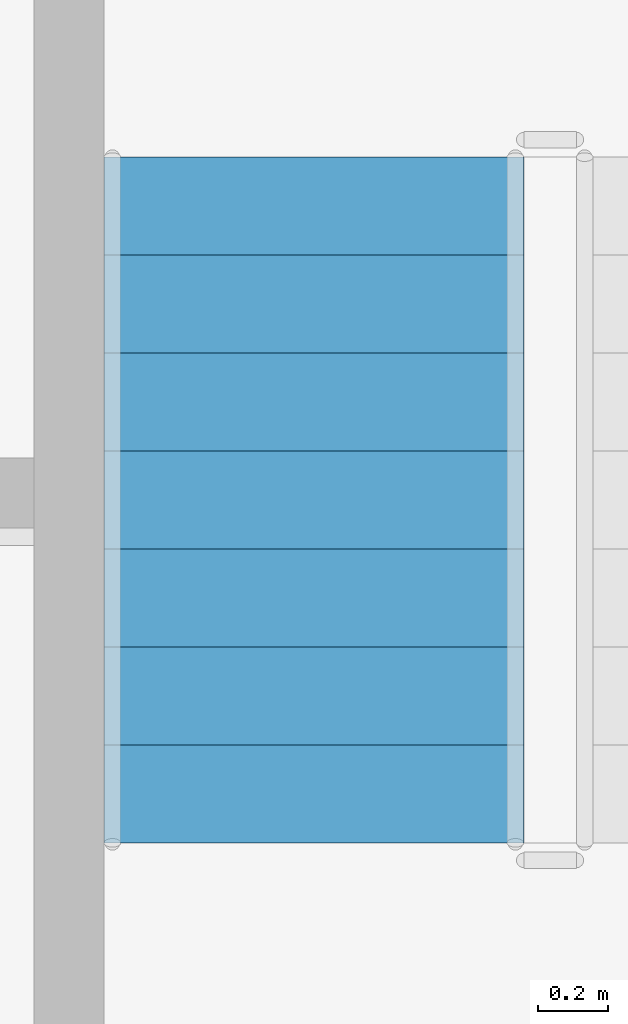
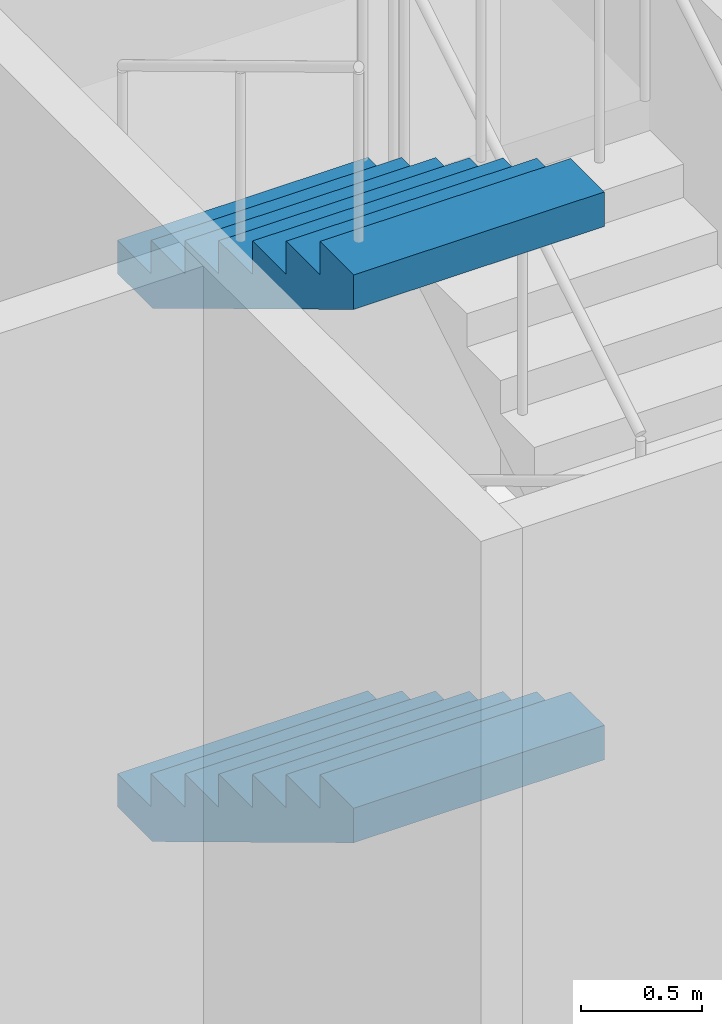
# One storey, part 49 of 101: 2 stair flights, 1 element without a shape of its own.
"""IFC4 building model written with IfcOpenShell, lengths in metres."""

from ifc_helpers import new_model, si_unit, direction, frame, origin, place, context, subcontext, project, spatial, triangles, material, type_object, element, aggregate, save


model = new_model("IFC4")

# Units and contexts
model_context = context("Model", 3, precision=1e-05, world=origin(), true_north=direction((0.0, 1.0)))
body_context = subcontext(model_context, "Body", "Model", "MODEL_VIEW")
ifc_project = project(units=[si_unit("LENGTHUNIT", "METRE"), si_unit("AREAUNIT", "SQUARE_METRE"), si_unit("VOLUMEUNIT", "CUBIC_METRE"), si_unit("PLANEANGLEUNIT", "RADIAN"), si_unit("MASSUNIT", "GRAM", prefix="KILO")], contexts=[model_context])

# Site, building, storey
site_placement = place(None, origin())
site = spatial("IfcSite", under=ifc_project, at=site_placement, CompositionType="ELEMENT")
building_placement = place(site_placement, origin())
building = spatial("IfcBuilding", under=site, at=building_placement, Name="Magnolia Steps Interchange", CompositionType="ELEMENT")
storey_placement = place(building_placement, frame((0.0, 0.0, -5.39990234375)))
storey = spatial("IfcBuildingStorey", under=building, at=storey_placement, Name="B1", CompositionType="ELEMENT", Elevation=-5.39990234375)

# Stair, stair flights
ifc_material_1 = material(Name="Concrete C40", Category="concrete")
stair_type = type_object("IfcStairType", Name="Exit stair 1200", PredefinedType="HALF_TURN_STAIR", material=ifc_material_1)
stair_placement = place(storey_placement, origin())
stair = element("IfcStair", 1, at=stair_placement, inside=storey, type_object=stair_type, Name="B1 Stair 20", PredefinedType="HALF_TURN_STAIR")
ifc_material_2 = material(Name="Concrete C40", Category="concrete")
stair_flight_type = type_object("IfcStairFlightType", Name="Exit stair flight", PredefinedType="STRAIGHT", material=ifc_material_2)
stair_flight_1_placement = place(storey_placement, frame((93.949951171875, 40.659912109375, 1.349853515625), z_axis=(0.0, 0.0, 1.0), x_axis=(0.0, -1.0, 0.0)))
stair_flight_1 = element("IfcStairFlight", 2, at=stair_flight_1_placement, type_object=stair_flight_type, Name="Stair 20 flight 2", NumberOfRisers=8, NumberOfTreads=7, PredefinedType="STRAIGHT", RiserHeight=0.16875, TreadLength=0.28, context=body_context, shape_type="Tessellation", body=[
    triangles([(0.0, -0.5999755859375, 0.0), (0.29052734375, -0.5999755859375, 0.0), (1.9599609375, -0.5999755859375, 1.00634765625), (1.9599609375, -0.5999755859375, 1.18115234375), (1.679931640625, -0.5999755859375, 1.18115234375), (1.679931640625, -0.5999755859375, 1.012451171875), (1.39990234375, -0.5999755859375, 1.012451171875), (1.39990234375, -0.5999755859375, 0.84375), (1.1201171875, -0.5999755859375, 0.84375), (1.1201171875, -0.5999755859375, 0.675048828125), (0.840087890625, -0.5999755859375, 0.675048828125), (0.840087890625, -0.5999755859375, 0.50634765625), (0.56005859375, -0.5999755859375, 0.50634765625), (0.56005859375, -0.5999755859375, 0.33740234375), (0.280029296875, -0.5999755859375, 0.33740234375), (0.280029296875, -0.5999755859375, 0.168701171875), (0.0, -0.5999755859375, 0.168701171875), (0.0, 0.5999755859375, 0.0), (0.29052734375, 0.5999755859375, 0.0), (1.9599609375, 0.5999755859375, 1.00634765625), (1.9599609375, 0.5999755859375, 1.18115234375), (1.679931640625, 0.5999755859375, 1.18115234375), (1.679931640625, 0.5999755859375, 1.012451171875), (1.39990234375, 0.5999755859375, 1.012451171875), (1.39990234375, 0.5999755859375, 0.84375), (1.1201171875, 0.5999755859375, 0.84375), (1.1201171875, 0.5999755859375, 0.675048828125), (0.840087890625, 0.5999755859375, 0.675048828125), (0.840087890625, 0.5999755859375, 0.50634765625), (0.56005859375, 0.5999755859375, 0.50634765625), (0.56005859375, 0.5999755859375, 0.33740234375), (0.280029296875, 0.5999755859375, 0.33740234375), (0.280029296875, 0.5999755859375, 0.168701171875), (0.0, 0.5999755859375, 0.168701171875), (0.0, 0.0, 0.0), (0.0, 0.0, 0.04217529296875), (0.0, 0.0, 0.0843505859375), (0.0, 0.0, 0.12652587890625), (0.0, 0.0, 0.168701171875), (0.0, -0.05, 0.0), (0.0, -0.05, 0.168701171875), (0.0, 0.05, 0.0), (0.0, 0.05, 0.168701171875), (0.046671549479166664, 0.0, 0.168701171875), (0.09334309895833333, 0.0, 0.168701171875), (0.1400146484375, 0.0, 0.168701171875), (0.18668619791666666, 0.0, 0.168701171875), (0.23335774739583334, 0.0, 0.168701171875), (0.280029296875, 0.0, 0.168701171875), (0.280029296875, -0.05, 0.168701171875), (0.280029296875, 0.05, 0.168701171875), (0.280029296875, 0.0, 0.21087646484375), (0.280029296875, 0.0, 0.2530517578125), (0.280029296875, 0.0, 0.29522705078125), (0.280029296875, 0.0, 0.33740234375), (0.280029296875, -0.05, 0.33740234375), (0.280029296875, 0.05, 0.33740234375), (0.3267008463541667, 0.0, 0.33740234375), (0.3733723958333333, 0.0, 0.33740234375), (0.4200439453125, 0.0, 0.33740234375), (0.46671549479166663, 0.0, 0.33740234375), (0.5133870442708334, 0.0, 0.33740234375), (0.56005859375, 0.0, 0.33740234375), (0.56005859375, -0.05, 0.33740234375), (0.56005859375, 0.05, 0.33740234375), (0.56005859375, 0.0, 0.379638671875), (0.56005859375, 0.0, 0.421875), (0.56005859375, 0.0, 0.464111328125), (0.56005859375, 0.0, 0.50634765625), (0.56005859375, -0.05, 0.50634765625), (0.56005859375, 0.05, 0.50634765625), (0.6067301432291666, 0.0, 0.50634765625), (0.6534016927083334, 0.0, 0.50634765625), (0.7000732421875, 0.0, 0.50634765625), (0.7467447916666666, 0.0, 0.50634765625), (0.7934163411458334, 0.0, 0.50634765625), (0.840087890625, 0.0, 0.50634765625), (0.840087890625, -0.05, 0.50634765625), (0.840087890625, 0.05, 0.50634765625), (0.840087890625, 0.0, 0.54852294921875), (0.840087890625, 0.0, 0.5906982421875), (0.840087890625, 0.0, 0.63287353515625), (0.840087890625, 0.0, 0.675048828125), (0.840087890625, -0.05, 0.675048828125), (0.840087890625, 0.05, 0.675048828125), (0.8867594401041666, 0.0, 0.675048828125), (0.9334309895833334, 0.0, 0.675048828125), (0.9801025390625, 0.0, 0.675048828125), (1.0267740885416667, 0.0, 0.675048828125), (1.0734456380208333, 0.0, 0.675048828125), (1.1201171875, 0.0, 0.675048828125), (1.1201171875, -0.05, 0.675048828125), (1.1201171875, 0.05, 0.675048828125), (1.1201171875, 0.0, 0.71722412109375), (1.1201171875, 0.0, 0.7593994140625), (1.1201171875, 0.0, 0.80157470703125), (1.1201171875, 0.0, 0.84375), (1.1201171875, -0.05, 0.84375), (1.1201171875, 0.05, 0.84375), (1.1900634765625, 0.0, 0.84375), (1.260009765625, 0.0, 0.84375), (1.3299560546875, 0.0, 0.84375), (1.39990234375, 0.0, 0.84375), (1.39990234375, -0.05, 0.84375), (1.39990234375, 0.05, 0.84375), (1.39990234375, 0.0, 0.88592529296875), (1.39990234375, 0.0, 0.9281005859375), (1.39990234375, 0.0, 0.97027587890625), (1.39990234375, 0.0, 1.012451171875), (1.39990234375, -0.05, 1.012451171875), (1.39990234375, 0.05, 1.012451171875), (1.4465738932291667, 0.0, 1.012451171875), (1.4932454427083333, 0.0, 1.012451171875), (1.5399169921875, 0.0, 1.012451171875), (1.5865885416666667, 0.0, 1.012451171875), (1.6332600911458333, 0.0, 1.012451171875), (1.679931640625, 0.0, 1.012451171875), (1.679931640625, -0.05, 1.012451171875), (1.679931640625, 0.05, 1.012451171875), (1.679931640625, 0.0, 1.05462646484375), (1.679931640625, 0.0, 1.0968017578125), (1.679931640625, 0.0, 1.13897705078125), (1.679931640625, 0.0, 1.18115234375), (1.679931640625, -0.05, 1.18115234375), (1.679931640625, 0.05, 1.18115234375), (1.7266031901041667, 0.0, 1.18115234375), (1.7732747395833333, 0.0, 1.18115234375), (1.8199462890625, 0.0, 1.18115234375), (1.8666178385416667, 0.0, 1.18115234375), (1.9132893880208333, 0.0, 1.18115234375), (1.9599609375, 0.0, 1.18115234375), (1.9599609375, -0.05, 1.18115234375), (1.9599609375, 0.05, 1.18115234375), (1.9599609375, 0.0, 1.137451171875), (1.9599609375, 0.0, 1.09375), (1.9599609375, 0.0, 1.050048828125), (1.9599609375, 0.0, 1.00634765625), (1.9599609375, -0.05, 1.00634765625), (1.9599609375, 0.05, 1.00634765625), (1.9003383091517858, 0.0, 0.9704066685267857), (1.8407156808035714, 0.0, 0.9344656808035714), (1.7810930524553572, 0.0, 0.8985246930803571), (1.7214704241071428, 0.0, 0.8625837053571428), (1.6618477957589286, 0.0, 0.8266427176339286), (1.6022251674107144, 0.0, 0.7907017299107143), (1.5426025390625, 0.0, 0.7547607421875), (1.4829799107142856, 0.0, 0.7188197544642857), (1.4233572823660714, 0.0, 0.6828787667410714), (1.3637346540178572, 0.0, 0.6469377790178572), (1.3041120256696428, 0.0, 0.6109967912946428), (1.2444893973214286, 0.0, 0.5750558035714286), (1.1848667689732144, 0.0, 0.5391148158482143), (1.125244140625, 0.0, 0.503173828125), (1.0656215122767856, 0.0, 0.4672328404017857), (1.0059988839285714, 0.0, 0.4312918526785714), (0.9463762555803572, 0.0, 0.3953508649553571), (0.8867536272321428, 0.0, 0.3594098772321429), (0.8271309988839286, 0.0, 0.3234688895089286), (0.7675083705357142, 0.0, 0.2875279017857143), (0.7078857421875, 0.0, 0.2515869140625), (0.6482631138392858, 0.0, 0.2156459263392857), (0.5886404854910714, 0.0, 0.1797049386160714), (0.5290178571428572, 0.0, 0.1437639508928571), (0.4693952287946428, 0.0, 0.1078229631696429), (0.4097726004464286, 0.0, 0.0718819754464286), (0.3501499720982142, 0.0, 0.0359409877232143), (0.29052734375, 0.0, 0.0), (0.29052734375, -0.05, 0.0), (0.29052734375, 0.05, 0.0), (0.24210611979166666, 0.0, 0.0), (0.19368489583333331, 0.0, 0.0), (0.145263671875, 0.0, 0.0), (0.09684244791666666, 0.0, 0.0), (0.04842122395833334, 0.0, 0.0)], [[1, 2, 3], [3, 4, 5], [3, 5, 6], [3, 6, 7], [3, 7, 8], [8, 9, 10], [3, 8, 10], [10, 11, 12], [3, 10, 12], [12, 13, 14], [3, 12, 14], [14, 15, 16], [3, 14, 16], [1, 3, 16], [16, 17, 1], [18, 20, 19], [20, 22, 21], [20, 23, 22], [20, 24, 23], [20, 25, 24], [25, 27, 26], [20, 27, 25], [27, 29, 28], [20, 29, 27], [29, 31, 30], [20, 31, 29], [31, 33, 32], [20, 33, 31], [18, 33, 20], [33, 18, 34], [1, 17, 41], [1, 41, 40], [40, 36, 35], [40, 37, 36], [40, 41, 37], [41, 38, 37], [41, 39, 38], [18, 43, 34], [18, 42, 43], [42, 35, 36], [42, 36, 37], [42, 37, 43], [43, 37, 38], [43, 38, 39], [17, 16, 50], [17, 50, 41], [41, 44, 39], [41, 45, 44], [41, 46, 45], [41, 50, 46], [50, 47, 46], [50, 48, 47], [50, 49, 48], [34, 51, 33], [34, 43, 51], [43, 39, 44], [43, 44, 45], [43, 45, 46], [43, 46, 51], [51, 46, 47], [51, 47, 48], [51, 48, 49], [16, 15, 56], [16, 56, 50], [50, 52, 49], [50, 53, 52], [50, 56, 53], [56, 54, 53], [56, 55, 54], [33, 57, 32], [33, 51, 57], [51, 49, 52], [51, 52, 53], [51, 53, 57], [57, 53, 54], [57, 54, 55], [15, 14, 64], [15, 64, 56], [56, 58, 55], [56, 59, 58], [56, 60, 59], [56, 64, 60], [64, 61, 60], [64, 62, 61], [64, 63, 62], [32, 65, 31], [32, 57, 65], [57, 55, 58], [57, 58, 59], [57, 59, 60], [57, 60, 65], [65, 60, 61], [65, 61, 62], [65, 62, 63], [14, 13, 70], [14, 70, 64], [64, 66, 63], [64, 67, 66], [64, 70, 67], [70, 68, 67], [70, 69, 68], [31, 71, 30], [31, 65, 71], [65, 63, 66], [65, 66, 67], [65, 67, 71], [71, 67, 68], [71, 68, 69], [13, 12, 78], [13, 78, 70], [70, 72, 69], [70, 73, 72], [70, 74, 73], [70, 78, 74], [78, 75, 74], [78, 76, 75], [78, 77, 76], [30, 79, 29], [30, 71, 79], [71, 69, 72], [71, 72, 73], [71, 73, 74], [71, 74, 79], [79, 74, 75], [79, 75, 76], [79, 76, 77], [12, 11, 84], [12, 84, 78], [78, 80, 77], [78, 81, 80], [78, 84, 81], [84, 82, 81], [84, 83, 82], [29, 85, 28], [29, 79, 85], [79, 77, 80], [79, 80, 81], [79, 81, 85], [85, 81, 82], [85, 82, 83], [11, 10, 92], [11, 92, 84], [84, 86, 83], [84, 87, 86], [84, 88, 87], [84, 92, 88], [92, 89, 88], [92, 90, 89], [92, 91, 90], [28, 93, 27], [28, 85, 93], [85, 83, 86], [85, 86, 87], [85, 87, 88], [85, 88, 93], [93, 88, 89], [93, 89, 90], [93, 90, 91], [10, 9, 98], [10, 98, 92], [92, 94, 91], [92, 95, 94], [92, 98, 95], [98, 96, 95], [98, 97, 96], [27, 99, 26], [27, 93, 99], [93, 91, 94], [93, 94, 95], [93, 95, 99], [99, 95, 96], [99, 96, 97], [9, 8, 104], [9, 104, 98], [98, 100, 97], [98, 101, 100], [98, 104, 101], [104, 102, 101], [104, 103, 102], [26, 105, 25], [26, 99, 105], [99, 97, 100], [99, 100, 101], [99, 101, 105], [105, 101, 102], [105, 102, 103], [8, 7, 110], [8, 110, 104], [104, 106, 103], [104, 107, 106], [104, 110, 107], [110, 108, 107], [110, 109, 108], [25, 111, 24], [25, 105, 111], [105, 103, 106], [105, 106, 107], [105, 107, 111], [111, 107, 108], [111, 108, 109], [7, 6, 118], [7, 118, 110], [110, 112, 109], [110, 113, 112], [110, 114, 113], [110, 118, 114], [118, 115, 114], [118, 116, 115], [118, 117, 116], [24, 119, 23], [24, 111, 119], [111, 109, 112], [111, 112, 113], [111, 113, 114], [111, 114, 119], [119, 114, 115], [119, 115, 116], [119, 116, 117], [6, 5, 124], [6, 124, 118], [118, 120, 117], [118, 121, 120], [118, 124, 121], [124, 122, 121], [124, 123, 122], [23, 125, 22], [23, 119, 125], [119, 117, 120], [119, 120, 121], [119, 121, 125], [125, 121, 122], [125, 122, 123], [5, 4, 132], [5, 132, 124], [124, 126, 123], [124, 127, 126], [124, 128, 127], [124, 132, 128], [132, 129, 128], [132, 130, 129], [132, 131, 130], [22, 133, 21], [22, 125, 133], [125, 123, 126], [125, 126, 127], [125, 127, 128], [125, 128, 133], [133, 128, 129], [133, 129, 130], [133, 130, 131], [4, 3, 138], [4, 138, 132], [132, 134, 131], [132, 135, 134], [132, 138, 135], [138, 136, 135], [138, 137, 136], [21, 139, 20], [21, 133, 139], [133, 131, 134], [133, 134, 135], [133, 135, 139], [139, 135, 136], [139, 136, 137], [3, 2, 168], [3, 168, 138], [138, 140, 137], [138, 141, 140], [138, 142, 141], [138, 143, 142], [138, 144, 143], [138, 145, 144], [138, 146, 145], [138, 147, 146], [138, 148, 147], [138, 149, 148], [138, 150, 149], [138, 151, 150], [138, 152, 151], [138, 153, 152], [138, 168, 153], [168, 154, 153], [168, 155, 154], [168, 156, 155], [168, 157, 156], [168, 158, 157], [168, 159, 158], [168, 160, 159], [168, 161, 160], [168, 162, 161], [168, 163, 162], [168, 164, 163], [168, 165, 164], [168, 166, 165], [168, 167, 166], [20, 169, 19], [20, 139, 169], [139, 137, 140], [139, 140, 141], [139, 141, 142], [139, 142, 143], [139, 143, 144], [139, 144, 145], [139, 145, 146], [139, 146, 147], [139, 147, 148], [139, 148, 149], [139, 149, 150], [139, 150, 151], [139, 151, 152], [139, 152, 153], [139, 153, 169], [169, 153, 154], [169, 154, 155], [169, 155, 156], [169, 156, 157], [169, 157, 158], [169, 158, 159], [169, 159, 160], [169, 160, 161], [169, 161, 162], [169, 162, 163], [169, 163, 164], [169, 164, 165], [169, 165, 166], [169, 166, 167], [2, 1, 40], [2, 40, 168], [168, 170, 167], [168, 171, 170], [168, 172, 171], [168, 40, 172], [40, 173, 172], [40, 174, 173], [40, 35, 174], [19, 42, 18], [19, 169, 42], [169, 167, 170], [169, 170, 171], [169, 171, 172], [169, 172, 42], [42, 172, 173], [42, 173, 174], [42, 174, 35]], closed=True),
])
stair_flight_2_placement = place(storey_placement, frame((93.949951171875, 40.659912109375, 4.0498046875), z_axis=(0.0, 0.0, 1.0), x_axis=(0.0, -1.0, 0.0)))
stair_flight_2 = element("IfcStairFlight", 3, at=stair_flight_2_placement, type_object=stair_flight_type, Name="Stair 20 flight 4", NumberOfRisers=8, NumberOfTreads=7, PredefinedType="STRAIGHT", RiserHeight=0.16875, TreadLength=0.28, context=body_context, shape_type="Tessellation", body=[
    triangles([(0.0, -0.5999755859375, 0.0), (0.29052734375, -0.5999755859375, 0.0), (1.9599609375, -0.5999755859375, 1.00634765625), (1.9599609375, -0.5999755859375, 1.18115234375), (1.679931640625, -0.5999755859375, 1.18115234375), (1.679931640625, -0.5999755859375, 1.012451171875), (1.39990234375, -0.5999755859375, 1.012451171875), (1.39990234375, -0.5999755859375, 0.84375), (1.1201171875, -0.5999755859375, 0.84375), (1.1201171875, -0.5999755859375, 0.675048828125), (0.840087890625, -0.5999755859375, 0.675048828125), (0.840087890625, -0.5999755859375, 0.50634765625), (0.56005859375, -0.5999755859375, 0.50634765625), (0.56005859375, -0.5999755859375, 0.33740234375), (0.280029296875, -0.5999755859375, 0.33740234375), (0.280029296875, -0.5999755859375, 0.168701171875), (0.0, -0.5999755859375, 0.168701171875), (0.0, 0.5999755859375, 0.0), (0.29052734375, 0.5999755859375, 0.0), (1.9599609375, 0.5999755859375, 1.00634765625), (1.9599609375, 0.5999755859375, 1.18115234375), (1.679931640625, 0.5999755859375, 1.18115234375), (1.679931640625, 0.5999755859375, 1.012451171875), (1.39990234375, 0.5999755859375, 1.012451171875), (1.39990234375, 0.5999755859375, 0.84375), (1.1201171875, 0.5999755859375, 0.84375), (1.1201171875, 0.5999755859375, 0.675048828125), (0.840087890625, 0.5999755859375, 0.675048828125), (0.840087890625, 0.5999755859375, 0.50634765625), (0.56005859375, 0.5999755859375, 0.50634765625), (0.56005859375, 0.5999755859375, 0.33740234375), (0.280029296875, 0.5999755859375, 0.33740234375), (0.280029296875, 0.5999755859375, 0.168701171875), (0.0, 0.5999755859375, 0.168701171875), (0.0, 0.0, 0.0), (0.0, 0.0, 0.04217529296875), (0.0, 0.0, 0.0843505859375), (0.0, 0.0, 0.12652587890625), (0.0, 0.0, 0.168701171875), (0.0, -0.05, 0.0), (0.0, -0.05, 0.168701171875), (0.0, 0.05, 0.0), (0.0, 0.05, 0.168701171875), (0.046671549479166664, 0.0, 0.168701171875), (0.09334309895833333, 0.0, 0.168701171875), (0.1400146484375, 0.0, 0.168701171875), (0.18668619791666666, 0.0, 0.168701171875), (0.23335774739583334, 0.0, 0.168701171875), (0.280029296875, 0.0, 0.168701171875), (0.280029296875, -0.05, 0.168701171875), (0.280029296875, 0.05, 0.168701171875), (0.280029296875, 0.0, 0.21087646484375), (0.280029296875, 0.0, 0.2530517578125), (0.280029296875, 0.0, 0.29522705078125), (0.280029296875, 0.0, 0.33740234375), (0.280029296875, -0.05, 0.33740234375), (0.280029296875, 0.05, 0.33740234375), (0.3267008463541667, 0.0, 0.33740234375), (0.3733723958333333, 0.0, 0.33740234375), (0.4200439453125, 0.0, 0.33740234375), (0.46671549479166663, 0.0, 0.33740234375), (0.5133870442708334, 0.0, 0.33740234375), (0.56005859375, 0.0, 0.33740234375), (0.56005859375, -0.05, 0.33740234375), (0.56005859375, 0.05, 0.33740234375), (0.56005859375, 0.0, 0.379638671875), (0.56005859375, 0.0, 0.421875), (0.56005859375, 0.0, 0.464111328125), (0.56005859375, 0.0, 0.50634765625), (0.56005859375, -0.05, 0.50634765625), (0.56005859375, 0.05, 0.50634765625), (0.6067301432291666, 0.0, 0.50634765625), (0.6534016927083334, 0.0, 0.50634765625), (0.7000732421875, 0.0, 0.50634765625), (0.7467447916666666, 0.0, 0.50634765625), (0.7934163411458334, 0.0, 0.50634765625), (0.840087890625, 0.0, 0.50634765625), (0.840087890625, -0.05, 0.50634765625), (0.840087890625, 0.05, 0.50634765625), (0.840087890625, 0.0, 0.54852294921875), (0.840087890625, 0.0, 0.5906982421875), (0.840087890625, 0.0, 0.63287353515625), (0.840087890625, 0.0, 0.675048828125), (0.840087890625, -0.05, 0.675048828125), (0.840087890625, 0.05, 0.675048828125), (0.8867594401041666, 0.0, 0.675048828125), (0.9334309895833334, 0.0, 0.675048828125), (0.9801025390625, 0.0, 0.675048828125), (1.0267740885416667, 0.0, 0.675048828125), (1.0734456380208333, 0.0, 0.675048828125), (1.1201171875, 0.0, 0.675048828125), (1.1201171875, -0.05, 0.675048828125), (1.1201171875, 0.05, 0.675048828125), (1.1201171875, 0.0, 0.71722412109375), (1.1201171875, 0.0, 0.7593994140625), (1.1201171875, 0.0, 0.80157470703125), (1.1201171875, 0.0, 0.84375), (1.1201171875, -0.05, 0.84375), (1.1201171875, 0.05, 0.84375), (1.1900634765625, 0.0, 0.84375), (1.260009765625, 0.0, 0.84375), (1.3299560546875, 0.0, 0.84375), (1.39990234375, 0.0, 0.84375), (1.39990234375, -0.05, 0.84375), (1.39990234375, 0.05, 0.84375), (1.39990234375, 0.0, 0.88592529296875), (1.39990234375, 0.0, 0.9281005859375), (1.39990234375, 0.0, 0.97027587890625), (1.39990234375, 0.0, 1.012451171875), (1.39990234375, -0.05, 1.012451171875), (1.39990234375, 0.05, 1.012451171875), (1.4465738932291667, 0.0, 1.012451171875), (1.4932454427083333, 0.0, 1.012451171875), (1.5399169921875, 0.0, 1.012451171875), (1.5865885416666667, 0.0, 1.012451171875), (1.6332600911458333, 0.0, 1.012451171875), (1.679931640625, 0.0, 1.012451171875), (1.679931640625, -0.05, 1.012451171875), (1.679931640625, 0.05, 1.012451171875), (1.679931640625, 0.0, 1.05462646484375), (1.679931640625, 0.0, 1.0968017578125), (1.679931640625, 0.0, 1.13897705078125), (1.679931640625, 0.0, 1.18115234375), (1.679931640625, -0.05, 1.18115234375), (1.679931640625, 0.05, 1.18115234375), (1.7266031901041667, 0.0, 1.18115234375), (1.7732747395833333, 0.0, 1.18115234375), (1.8199462890625, 0.0, 1.18115234375), (1.8666178385416667, 0.0, 1.18115234375), (1.9132893880208333, 0.0, 1.18115234375), (1.9599609375, 0.0, 1.18115234375), (1.9599609375, -0.05, 1.18115234375), (1.9599609375, 0.05, 1.18115234375), (1.9599609375, 0.0, 1.137451171875), (1.9599609375, 0.0, 1.09375), (1.9599609375, 0.0, 1.050048828125), (1.9599609375, 0.0, 1.00634765625), (1.9599609375, -0.05, 1.00634765625), (1.9599609375, 0.05, 1.00634765625), (1.9003383091517858, 0.0, 0.9704066685267857), (1.8407156808035714, 0.0, 0.9344656808035714), (1.7810930524553572, 0.0, 0.8985246930803571), (1.7214704241071428, 0.0, 0.8625837053571428), (1.6618477957589286, 0.0, 0.8266427176339286), (1.6022251674107144, 0.0, 0.7907017299107143), (1.5426025390625, 0.0, 0.7547607421875), (1.4829799107142856, 0.0, 0.7188197544642857), (1.4233572823660714, 0.0, 0.6828787667410714), (1.3637346540178572, 0.0, 0.6469377790178572), (1.3041120256696428, 0.0, 0.6109967912946428), (1.2444893973214286, 0.0, 0.5750558035714286), (1.1848667689732144, 0.0, 0.5391148158482143), (1.125244140625, 0.0, 0.503173828125), (1.0656215122767856, 0.0, 0.4672328404017857), (1.0059988839285714, 0.0, 0.4312918526785714), (0.9463762555803572, 0.0, 0.3953508649553571), (0.8867536272321428, 0.0, 0.3594098772321429), (0.8271309988839286, 0.0, 0.3234688895089286), (0.7675083705357142, 0.0, 0.2875279017857143), (0.7078857421875, 0.0, 0.2515869140625), (0.6482631138392858, 0.0, 0.2156459263392857), (0.5886404854910714, 0.0, 0.1797049386160714), (0.5290178571428572, 0.0, 0.1437639508928571), (0.4693952287946428, 0.0, 0.1078229631696429), (0.4097726004464286, 0.0, 0.0718819754464286), (0.3501499720982142, 0.0, 0.0359409877232143), (0.29052734375, 0.0, 0.0), (0.29052734375, -0.05, 0.0), (0.29052734375, 0.05, 0.0), (0.24210611979166666, 0.0, 0.0), (0.19368489583333331, 0.0, 0.0), (0.145263671875, 0.0, 0.0), (0.09684244791666666, 0.0, 0.0), (0.04842122395833334, 0.0, 0.0)], [[1, 2, 3], [3, 4, 5], [3, 5, 6], [3, 6, 7], [3, 7, 8], [8, 9, 10], [3, 8, 10], [10, 11, 12], [3, 10, 12], [12, 13, 14], [3, 12, 14], [14, 15, 16], [3, 14, 16], [1, 3, 16], [16, 17, 1], [18, 20, 19], [20, 22, 21], [20, 23, 22], [20, 24, 23], [20, 25, 24], [25, 27, 26], [20, 27, 25], [27, 29, 28], [20, 29, 27], [29, 31, 30], [20, 31, 29], [31, 33, 32], [20, 33, 31], [18, 33, 20], [33, 18, 34], [1, 17, 41], [1, 41, 40], [40, 36, 35], [40, 37, 36], [40, 41, 37], [41, 38, 37], [41, 39, 38], [18, 43, 34], [18, 42, 43], [42, 35, 36], [42, 36, 37], [42, 37, 43], [43, 37, 38], [43, 38, 39], [17, 16, 50], [17, 50, 41], [41, 44, 39], [41, 45, 44], [41, 46, 45], [41, 50, 46], [50, 47, 46], [50, 48, 47], [50, 49, 48], [34, 51, 33], [34, 43, 51], [43, 39, 44], [43, 44, 45], [43, 45, 46], [43, 46, 51], [51, 46, 47], [51, 47, 48], [51, 48, 49], [16, 15, 56], [16, 56, 50], [50, 52, 49], [50, 53, 52], [50, 56, 53], [56, 54, 53], [56, 55, 54], [33, 57, 32], [33, 51, 57], [51, 49, 52], [51, 52, 53], [51, 53, 57], [57, 53, 54], [57, 54, 55], [15, 14, 64], [15, 64, 56], [56, 58, 55], [56, 59, 58], [56, 60, 59], [56, 64, 60], [64, 61, 60], [64, 62, 61], [64, 63, 62], [32, 65, 31], [32, 57, 65], [57, 55, 58], [57, 58, 59], [57, 59, 60], [57, 60, 65], [65, 60, 61], [65, 61, 62], [65, 62, 63], [14, 13, 70], [14, 70, 64], [64, 66, 63], [64, 67, 66], [64, 70, 67], [70, 68, 67], [70, 69, 68], [31, 71, 30], [31, 65, 71], [65, 63, 66], [65, 66, 67], [65, 67, 71], [71, 67, 68], [71, 68, 69], [13, 12, 78], [13, 78, 70], [70, 72, 69], [70, 73, 72], [70, 74, 73], [70, 78, 74], [78, 75, 74], [78, 76, 75], [78, 77, 76], [30, 79, 29], [30, 71, 79], [71, 69, 72], [71, 72, 73], [71, 73, 74], [71, 74, 79], [79, 74, 75], [79, 75, 76], [79, 76, 77], [12, 11, 84], [12, 84, 78], [78, 80, 77], [78, 81, 80], [78, 84, 81], [84, 82, 81], [84, 83, 82], [29, 85, 28], [29, 79, 85], [79, 77, 80], [79, 80, 81], [79, 81, 85], [85, 81, 82], [85, 82, 83], [11, 10, 92], [11, 92, 84], [84, 86, 83], [84, 87, 86], [84, 88, 87], [84, 92, 88], [92, 89, 88], [92, 90, 89], [92, 91, 90], [28, 93, 27], [28, 85, 93], [85, 83, 86], [85, 86, 87], [85, 87, 88], [85, 88, 93], [93, 88, 89], [93, 89, 90], [93, 90, 91], [10, 9, 98], [10, 98, 92], [92, 94, 91], [92, 95, 94], [92, 98, 95], [98, 96, 95], [98, 97, 96], [27, 99, 26], [27, 93, 99], [93, 91, 94], [93, 94, 95], [93, 95, 99], [99, 95, 96], [99, 96, 97], [9, 8, 104], [9, 104, 98], [98, 100, 97], [98, 101, 100], [98, 104, 101], [104, 102, 101], [104, 103, 102], [26, 105, 25], [26, 99, 105], [99, 97, 100], [99, 100, 101], [99, 101, 105], [105, 101, 102], [105, 102, 103], [8, 7, 110], [8, 110, 104], [104, 106, 103], [104, 107, 106], [104, 110, 107], [110, 108, 107], [110, 109, 108], [25, 111, 24], [25, 105, 111], [105, 103, 106], [105, 106, 107], [105, 107, 111], [111, 107, 108], [111, 108, 109], [7, 6, 118], [7, 118, 110], [110, 112, 109], [110, 113, 112], [110, 114, 113], [110, 118, 114], [118, 115, 114], [118, 116, 115], [118, 117, 116], [24, 119, 23], [24, 111, 119], [111, 109, 112], [111, 112, 113], [111, 113, 114], [111, 114, 119], [119, 114, 115], [119, 115, 116], [119, 116, 117], [6, 5, 124], [6, 124, 118], [118, 120, 117], [118, 121, 120], [118, 124, 121], [124, 122, 121], [124, 123, 122], [23, 125, 22], [23, 119, 125], [119, 117, 120], [119, 120, 121], [119, 121, 125], [125, 121, 122], [125, 122, 123], [5, 4, 132], [5, 132, 124], [124, 126, 123], [124, 127, 126], [124, 128, 127], [124, 132, 128], [132, 129, 128], [132, 130, 129], [132, 131, 130], [22, 133, 21], [22, 125, 133], [125, 123, 126], [125, 126, 127], [125, 127, 128], [125, 128, 133], [133, 128, 129], [133, 129, 130], [133, 130, 131], [4, 3, 138], [4, 138, 132], [132, 134, 131], [132, 135, 134], [132, 138, 135], [138, 136, 135], [138, 137, 136], [21, 139, 20], [21, 133, 139], [133, 131, 134], [133, 134, 135], [133, 135, 139], [139, 135, 136], [139, 136, 137], [3, 2, 168], [3, 168, 138], [138, 140, 137], [138, 141, 140], [138, 142, 141], [138, 143, 142], [138, 144, 143], [138, 145, 144], [138, 146, 145], [138, 147, 146], [138, 148, 147], [138, 149, 148], [138, 150, 149], [138, 151, 150], [138, 152, 151], [138, 153, 152], [138, 168, 153], [168, 154, 153], [168, 155, 154], [168, 156, 155], [168, 157, 156], [168, 158, 157], [168, 159, 158], [168, 160, 159], [168, 161, 160], [168, 162, 161], [168, 163, 162], [168, 164, 163], [168, 165, 164], [168, 166, 165], [168, 167, 166], [20, 169, 19], [20, 139, 169], [139, 137, 140], [139, 140, 141], [139, 141, 142], [139, 142, 143], [139, 143, 144], [139, 144, 145], [139, 145, 146], [139, 146, 147], [139, 147, 148], [139, 148, 149], [139, 149, 150], [139, 150, 151], [139, 151, 152], [139, 152, 153], [139, 153, 169], [169, 153, 154], [169, 154, 155], [169, 155, 156], [169, 156, 157], [169, 157, 158], [169, 158, 159], [169, 159, 160], [169, 160, 161], [169, 161, 162], [169, 162, 163], [169, 163, 164], [169, 164, 165], [169, 165, 166], [169, 166, 167], [2, 1, 40], [2, 40, 168], [168, 170, 167], [168, 171, 170], [168, 172, 171], [168, 40, 172], [40, 173, 172], [40, 174, 173], [40, 35, 174], [19, 42, 18], [19, 169, 42], [169, 167, 170], [169, 170, 171], [169, 171, 172], [169, 172, 42], [42, 172, 173], [42, 173, 174], [42, 174, 35]], closed=True),
])
aggregate(stair, [stair_flight_1, stair_flight_2])

save(model, "model.ifc")
